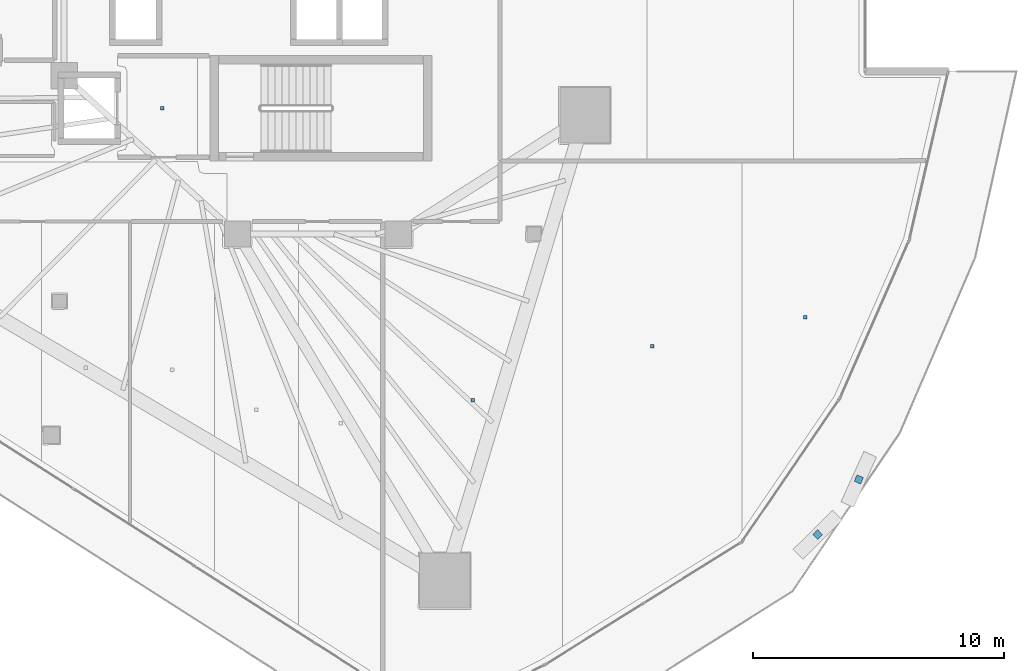
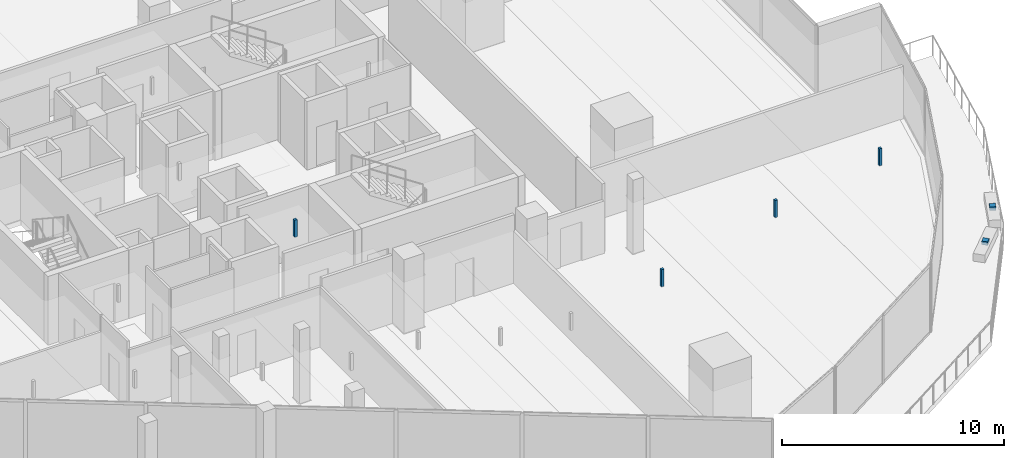
# One storey, part 31 of 42: 6 discrete accessories.
"""IFC4 building model written with IfcOpenShell, lengths in metres."""

from ifc_helpers import new_model, si_unit, direction, frame, origin, origin_2d, place, context, subcontext, project, spatial, rectangle, extrude, material, type_object, element, save


model = new_model("IFC4")

# Units and contexts
model_context = context("Model", 3, precision=1e-05, world=origin(), true_north=direction((0.0, 1.0)))
body_context = subcontext(model_context, "Body", "Model", "MODEL_VIEW")
ifc_project = project(units=[si_unit("LENGTHUNIT", "METRE"), si_unit("AREAUNIT", "SQUARE_METRE"), si_unit("VOLUMEUNIT", "CUBIC_METRE"), si_unit("PLANEANGLEUNIT", "RADIAN"), si_unit("MASSUNIT", "GRAM", prefix="KILO")], contexts=[model_context])

# Site, building, storey
site_placement = place(None, origin())
site = spatial("IfcSite", under=ifc_project, at=site_placement, CompositionType="ELEMENT")
building_placement = place(site_placement, origin())
building = spatial("IfcBuilding", under=site, at=building_placement, Name="Qorvath Tower", CompositionType="ELEMENT")
storey_placement = place(building_placement, frame((0.0, 0.0, 117.89990234375)))
storey = spatial("IfcBuildingStorey", under=building, at=storey_placement, Name="L26", CompositionType="ELEMENT", Elevation=117.89990234375)

# Discrete accessories
ifc_material = material(Name="Galvanised steel bracket", Category="steel")
discrete_accessory_type = type_object("IfcDiscreteAccessoryType", Name="DA-BRACKET", PredefinedType="BRACKET", material=ifc_material)
for number, where, z_axis, x_axis, name in (
    (1, (-0.50244140625, -23.419921875, 3.6298828125), (0.0, 0.0, 1.0), (0.709768709331, 0.704434794183, 0.0), "Louvre Wave Support Bracket L26-03"),
    (2, (1.13232421875, -21.21923828125, 3.6298828125), (0.0, 0.0, 1.0), (0.413331707281, 0.910580528979, 0.0), "Louvre Wave Support Bracket L26-04"),
):
    element("IfcDiscreteAccessory", number, at=place(storey_placement, frame(where, z_axis=z_axis, x_axis=x_axis)), inside=storey, type_object=discrete_accessory_type, Name=name, PredefinedType="NOTDEFINED", context=body_context, shape_type="SweptSolid", body=[
        extrude(rectangle(XDim=0.280029296875, YDim=0.280029296875, at=origin_2d()), origin(), (0.0, 0.0, 1.0), 0.199951171875),
    ])
for number, where, z_axis, x_axis, name in (
    (3, (-26.590087890625, -6.449951171875, 2.860107421875), (0.0, 0.0, 1.0), (1.0, 0.0, 0.0), "Acoustic Ceiling Suspension Hanger T1-L26-002"),
    (4, (-14.22705078125, -18.0693359375, 2.860107421875), (0.0, 0.0, 1.0), (1.0, 0.0, 0.0), "Acoustic Ceiling Suspension Hanger T1-L26-024"),
    (5, (-7.09130859375, -15.9228515625, 2.860107421875), (0.0, 0.0, 1.0), (1.0, 0.0, 0.0), "Acoustic Ceiling Suspension Hanger T1-L26-025"),
    (6, (-0.988525390625, -14.757080078125, 2.860107421875), (0.0, 0.0, 1.0), (1.0, 0.0, 0.0), "Acoustic Ceiling Suspension Hanger T1-L26-026"),
):
    element("IfcDiscreteAccessory", number, at=place(storey_placement, frame(where, z_axis=z_axis, x_axis=x_axis)), inside=storey, type_object=discrete_accessory_type, Name=name, PredefinedType="NOTDEFINED", context=body_context, shape_type="SweptSolid", body=[
        extrude(rectangle(XDim=0.139892578125, YDim=0.139892578125, at=origin_2d()), origin(), (0.0, 0.0, 1.0), 0.93994140625),
    ])

save(model, "model.ifc")
